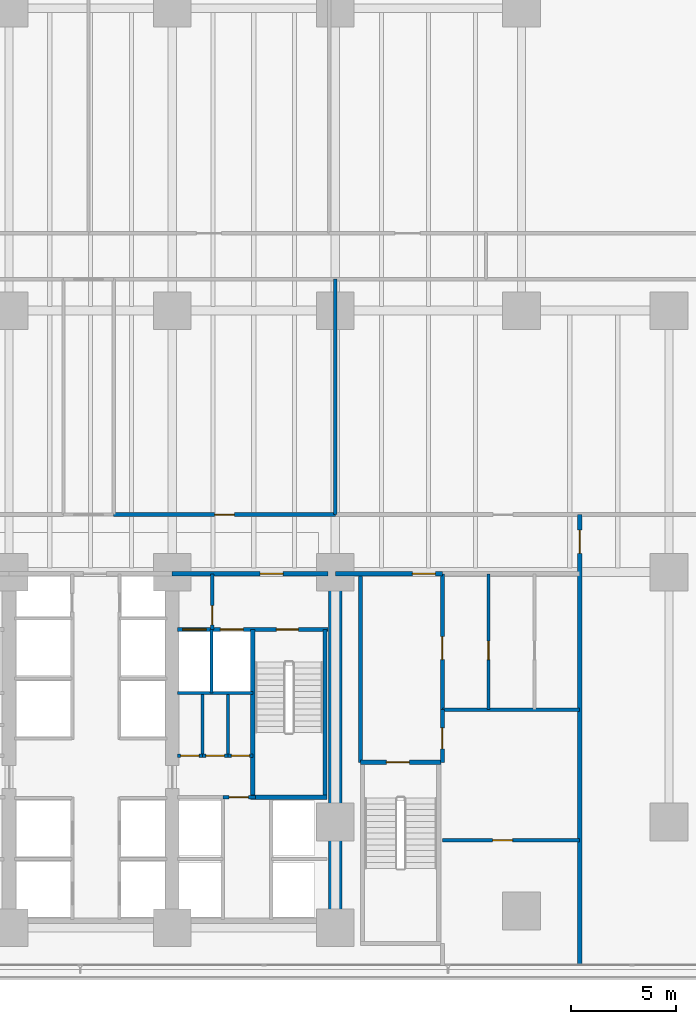
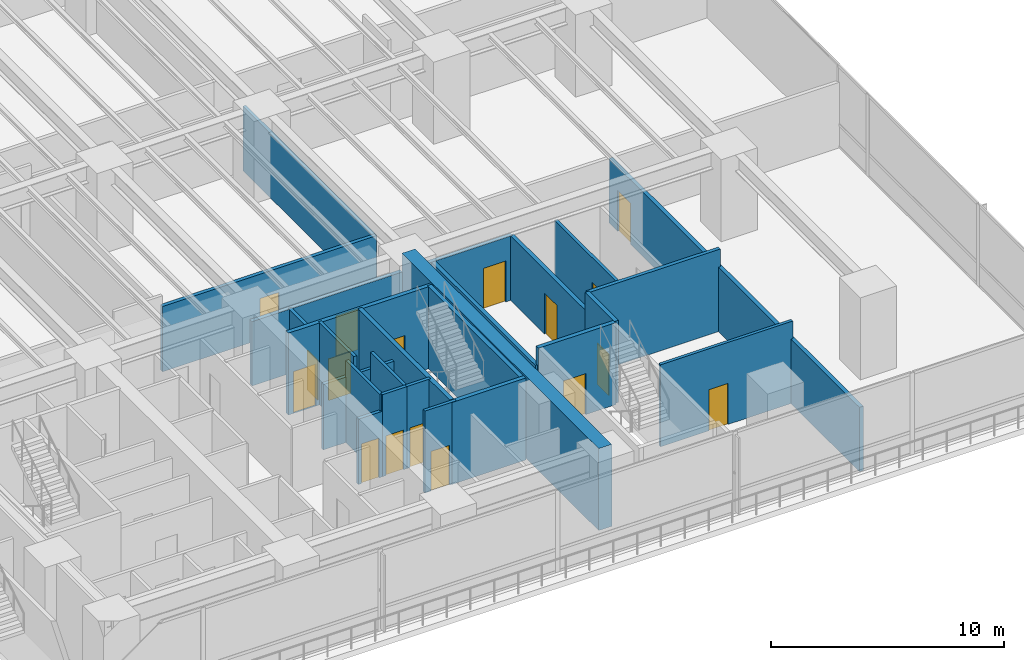
# One storey, part 12 of 26: 26 walls, 17 doors, 17 openings.
"""IFC4 building model written with IfcOpenShell, lengths in metres."""

from ifc_helpers import new_model, si_unit, direction, frame, frame_2d, origin, place, context, subcontext, project, spatial, rectangle, extrude, material, layer, layer_set, type_object, element, fill, save


model = new_model("IFC4")

# Units and contexts
model_context = context("Model", 3, precision=1e-05, world=origin(), true_north=direction((0.0, 1.0)))
body_context = subcontext(model_context, "Body", "Model", "MODEL_VIEW")
ifc_project = project(units=[si_unit("LENGTHUNIT", "METRE"), si_unit("AREAUNIT", "SQUARE_METRE"), si_unit("VOLUMEUNIT", "CUBIC_METRE"), si_unit("PLANEANGLEUNIT", "RADIAN"), si_unit("MASSUNIT", "GRAM", prefix="KILO")], contexts=[model_context])

# Site, building, storey
site_placement = place(None, origin())
site = spatial("IfcSite", under=ifc_project, at=site_placement, CompositionType="ELEMENT")
building_placement = place(site_placement, origin())
building = spatial("IfcBuilding", under=site, at=building_placement, Name="Qalmaran Belvedere Hotel", CompositionType="ELEMENT")
storey_placement = place(building_placement, frame((0.0, 0.0, 19.199951171875)))
storey = spatial("IfcBuildingStorey", under=building, at=storey_placement, Name="L04", CompositionType="ELEMENT", Elevation=19.199951171875)

# Walls
ifc_material_1 = material(Name="Concrete C60/75", Category="concrete")
ifc_layer_1 = layer(ifc_material_1, 0.64990234375, Name="Concrete C60/75")
ifc_layer_set_1 = layer_set([ifc_layer_1], Name="Concrete C60/75")
wall_type_1 = type_object("IfcWallType", Name="WL-CORE-650-C60", PredefinedType="SHEAR", material=ifc_layer_set_1)
wall_1_placement = place(storey_placement, frame((44.800048828125, 3.5, 0.0), z_axis=(0.0, 0.0, 1.0), x_axis=(0.0, 1.0, 0.0)))
element("IfcWall", 1, at=wall_1_placement, inside=storey, type_object=wall_type_1, Name="L04 East Core Shear Wall", PredefinedType="SHEAR", context=body_context, shape_type="SweptSolid", body=[
    extrude(rectangle(XDim=16.89990234375, YDim=0.64990234375, at=frame_2d((8.449951171875, 0.0))), origin(), (0.0, 0.0, 1.0), 4.300048828125),
])
ifc_material_2 = material(Name="Gypsum Stud Partition")
ifc_layer_2 = layer(ifc_material_2, 0.14990234375, Name="Gypsum Stud Partition")
ifc_layer_set_2 = layer_set([ifc_layer_2], Name="Gypsum Stud Partition")
wall_type_2 = type_object("IfcWallType", Name="WL-INT-150-EI120", PredefinedType="PARTITIONING", material=ifc_layer_set_2)
wall_2_placement = place(storey_placement, frame((38.8798828125, 14.719970703125, 0.0), z_axis=(0.0, 0.0, 1.0), x_axis=(0.0, 1.0, 0.0)))
element("IfcWall", 2, at=wall_2_placement, inside=storey, type_object=wall_type_2, Name="L04 Partition WL-FF2M-L04", PredefinedType="PARTITIONING", context=body_context, shape_type="SweptSolid", body=[
    extrude(rectangle(XDim=3.0400390625, YDim=0.14990234375, at=frame_2d((1.52001953125, 0.0))), origin(), (0.0, 0.0, 1.0), 4.300048828125),
])
ifc_layer_3 = layer(ifc_material_2, 0.14990234375, Name="Gypsum Stud Partition")
ifc_layer_set_3 = layer_set([ifc_layer_3], Name="Gypsum Stud Partition")
wall_type_3 = type_object("IfcWallType", Name="WL-INT-150-EI60", PredefinedType="PARTITIONING", material=ifc_layer_set_3)
for number, where, z_axis, x_axis, name in (
    (3, (38.44140625, 11.719970703125, 0.0), (0.0, 0.0, 1.0), (0.0, 1.0, 0.0), "L04 Partition WL-L04-KEV1"),
    (4, (39.668701171875, 11.719970703125, 0.0), (0.0, 0.0, 1.0), (0.0, 1.0, 0.0), "L04 Partition WL-L04-KEV2"),
):
    element("IfcWall", number, at=place(storey_placement, frame(where, z_axis=z_axis, x_axis=x_axis)), inside=storey, type_object=wall_type_3, Name=name, PredefinedType="PARTITIONING", context=body_context, shape_type="SweptSolid", body=[
        extrude(rectangle(XDim=2.929931640625, YDim=0.14990234375, at=frame_2d((1.46484375, 0.0))), origin(), (0.0, 0.0, 1.0), 4.300048828125),
    ])

# Wall, opening, door
wall_3_placement = place(storey_placement, frame((52.1201171875, 13.919921875, 0.0), z_axis=(0.0, 0.0, 1.0), x_axis=(0.0, 1.0, 0.0)))
wall_3 = element("IfcWall", 5, at=wall_3_placement, inside=storey, type_object=wall_type_3, Name="L04 Partition WL-L04-FCCV1", PredefinedType="PARTITIONING", context=body_context, shape_type="SweptSolid", body=[
    extrude(rectangle(XDim=6.5, YDim=0.14990234375, at=frame_2d((3.25, 0.0))), origin(), (0.0, 0.0, 1.0), 3.373046875),
])
opening_1_placement = place(wall_3_placement, frame((2.39990234375, 0.0, 0.0)))
opening_1 = element("IfcOpeningElement", 6, at=opening_1_placement, cuts=wall_3, Name="Opening FD60B", PredefinedType="OPENING", context=body_context, shape_type="SweptSolid", body=[
    extrude(rectangle(XDim=0.8798828125, YDim=2.080078125, at=frame_2d((0.43994140625, 1.0400390625))), frame((0.0, 0.0849609375, 0.0), z_axis=(0.0, -1.0, 0.0), x_axis=(1.0, 0.0, 0.0)), (0.0, 0.0, 1.0), 0.169921875),
])
ifc_material_3 = material(Name="Steel S355JR", Category="steel")
door_type_1 = type_object("IfcDoorType", Name="DR-FD60B-880X2080", OperationType="NOTDEFINED", PredefinedType="DOOR", material=ifc_material_3)
door_1_placement = place(opening_1_placement, origin())
door_1 = element("IfcDoor", 7, at=door_1_placement, inside=storey, type_object=door_type_1, Name="L04 Equipment Store Door", OperationType="SINGLE_SWING_RIGHT", OverallHeight=2.080078125, OverallWidth=0.8798828125, PredefinedType="DOOR", context=body_context, shape_type="SweptSolid", body=[
    extrude(rectangle(XDim=0.8798828125, YDim=2.080078125, at=frame_2d((0.43994140625, 1.0400390625))), frame((0.0, 0.02490234375, 0.0), z_axis=(0.0, -1.0, 0.0), x_axis=(1.0, 0.0, 0.0)), (0.0, 0.0, 1.0), 0.050048828125),
])
fill(opening_1, door_1)

wall_4_placement = place(storey_placement, frame((49.919921875, 7.679931640625, 0.0), z_axis=(0.0, 0.0, 1.0), x_axis=(1.0, 0.0, 0.0)))
wall_4 = element("IfcWall", 8, at=wall_4_placement, inside=storey, type_object=wall_type_3, Name="L04 Partition WL-L04-KITH", PredefinedType="PARTITIONING", context=body_context, shape_type="SweptSolid", body=[
    extrude(rectangle(XDim=6.56005859375, YDim=0.14990234375, at=frame_2d((3.280029296875, 0.0))), origin(), (0.0, 0.0, 1.0), 4.300048828125),
])
opening_2_placement = place(wall_4_placement, frame((3.349853515625, 0.0, 0.0), z_axis=(0.0, 0.0, 1.0), x_axis=(-1.0, 0.0, 0.0)))
opening_2 = element("IfcOpeningElement", 9, at=opening_2_placement, cuts=wall_4, Name="Opening FD60", PredefinedType="OPENING", context=body_context, shape_type="SweptSolid", body=[
    extrude(rectangle(XDim=0.949951171875, YDim=2.14990234375, at=frame_2d((0.47509765625, 1.074951171875))), frame((0.0, 0.0849609375, 0.0), z_axis=(0.0, -1.0, 0.0), x_axis=(1.0, 0.0, 0.0)), (0.0, 0.0, 1.0), 0.169921875),
])
ifc_material_4 = material(Name="Engineered Oak Veneer")
door_type_2 = type_object("IfcDoorType", Name="DR-FD60-950X2150", OperationType="NOTDEFINED", PredefinedType="DOOR", material=ifc_material_4)
door_2_placement = place(opening_2_placement, origin())
door_2 = element("IfcDoor", 10, at=door_2_placement, inside=storey, type_object=door_type_2, Name="L04 Pastry Kitchen Door", OperationType="SINGLE_SWING_RIGHT", OverallHeight=2.14990234375, OverallWidth=0.949951171875, PredefinedType="DOOR", context=body_context, shape_type="SweptSolid", body=[
    extrude(rectangle(XDim=0.949951171875, YDim=2.14990234375, at=frame_2d((0.47509765625, 1.074951171875))), frame((0.0, 0.02490234375, 0.0), z_axis=(0.0, -1.0, 0.0), x_axis=(1.0, 0.0, 0.0)), (0.0, 0.0, 1.0), 0.050048828125),
])
fill(opening_2, door_2)

ifc_layer_4 = layer(ifc_material_2, 0.159912109375, Name="Gypsum Stud Partition")
ifc_layer_set_4 = layer_set([ifc_layer_4], Name="Gypsum Stud Partition")
wall_type_4 = type_object("IfcWallType", Name="WL-INT-160-EI120", PredefinedType="PARTITIONING", material=ifc_layer_set_4)
wall_5_placement = place(storey_placement, frame((38.919921875, 17.760009765625, 0.0), z_axis=(0.0, 0.0, 1.0), x_axis=(0.0, 1.0, 0.0)))
wall_5 = element("IfcWall", 11, at=wall_5_placement, inside=storey, type_object=wall_type_4, Name="L04 Partition WL-FFSV2-L04", PredefinedType="PARTITIONING", context=body_context, shape_type="SweptSolid", body=[
    extrude(rectangle(XDim=2.659912109375, YDim=0.159912109375, at=frame_2d((1.330078125, 0.0))), origin(), (0.0, 0.0, 1.0), 3.373046875),
])
opening_3_placement = place(wall_5_placement, frame((1.139892578125, 0.0, 0.0), z_axis=(0.0, 0.0, 1.0), x_axis=(-1.0, 0.0, 0.0)))
opening_3 = element("IfcOpeningElement", 12, at=opening_3_placement, cuts=wall_5, Name="Opening FD60S1", PredefinedType="OPENING", context=body_context, shape_type="SweptSolid", body=[
    extrude(rectangle(XDim=0.919921875, YDim=2.080078125, at=frame_2d((0.4599609375, 1.0400390625))), frame((0.0, 0.08984375, 0.0), z_axis=(0.0, -1.0, 0.0), x_axis=(1.0, 0.0, 0.0)), (0.0, 0.0, 1.0), 0.179931640625),
])
door_type_3 = type_object("IfcDoorType", Name="DR-FD60S-920X2080", OperationType="NOTDEFINED", PredefinedType="DOOR", material=ifc_material_4)
door_3_placement = place(opening_3_placement, origin())
door_3 = element("IfcDoor", 13, at=door_3_placement, inside=storey, type_object=door_type_3, Name="L04 Service Lobby East Door", OperationType="SINGLE_SWING_LEFT", OverallHeight=2.080078125, OverallWidth=0.919921875, PredefinedType="DOOR", context=body_context, shape_type="SweptSolid", body=[
    extrude(rectangle(XDim=0.919921875, YDim=2.080078125, at=frame_2d((0.4599609375, 1.0400390625))), frame((0.0, 0.02490234375, 0.0), z_axis=(0.0, -1.0, 0.0), x_axis=(1.0, 0.0, 0.0)), (0.0, 0.0, 1.0), 0.050048828125),
])
fill(opening_3, door_3)

# Wall
wall_6_placement = place(storey_placement, frame((37.25, 14.719970703125, 0.0), z_axis=(0.0, 0.0, 1.0), x_axis=(1.0, 0.0, 0.0)))
element("IfcWall", 14, at=wall_6_placement, inside=storey, type_object=wall_type_4, Name="L04 Partition WL-FF2S-L04", PredefinedType="PARTITIONING", context=body_context, shape_type="SweptSolid", body=[
    extrude(rectangle(XDim=3.610107421875, YDim=0.159912109375, at=frame_2d((1.80517578125, 0.0))), origin(), (0.0, 0.0, 1.0), 3.429931640625),
])

# Wall, opening, door
wall_7_placement = place(storey_placement, frame((39.419921875, 9.739990234375, 0.0), z_axis=(0.0, 0.0, 1.0), x_axis=(1.0, 0.0, 0.0)))
wall_7 = element("IfcWall", 15, at=wall_7_placement, inside=storey, type_object=wall_type_4, Name="L04 Partition WL-PHNL-L04", PredefinedType="PARTITIONING", context=body_context, shape_type="SweptSolid", body=[
    extrude(rectangle(XDim=1.56005859375, YDim=0.159912109375, at=frame_2d((0.780029296875, 0.0))), origin(), (0.0, 0.0, 1.0), 4.300048828125),
])
opening_4_placement = place(wall_7_placement, frame((0.300048828125, 0.0, 0.0)))
opening_4 = element("IfcOpeningElement", 16, at=opening_4_placement, cuts=wall_7, Name="Opening FD60S1", PredefinedType="OPENING", context=body_context, shape_type="SweptSolid", body=[
    extrude(rectangle(XDim=0.919921875, YDim=2.080078125, at=frame_2d((0.4599609375, 1.0400390625))), frame((0.0, 0.08984375, 0.0), z_axis=(0.0, -1.0, 0.0), x_axis=(1.0, 0.0, 0.0)), (0.0, 0.0, 1.0), 0.179931640625),
])
door_4_placement = place(opening_4_placement, origin())
door_4 = element("IfcDoor", 17, at=door_4_placement, inside=storey, type_object=door_type_3, Name="L04 High-Rise Lift Lobby Passage Door", OperationType="SINGLE_SWING_LEFT", OverallHeight=2.080078125, OverallWidth=0.919921875, PredefinedType="DOOR", context=body_context, shape_type="SweptSolid", body=[
    extrude(rectangle(XDim=0.919921875, YDim=2.080078125, at=frame_2d((0.4599609375, 1.0400390625))), frame((0.0, 0.02490234375, 0.0), z_axis=(0.0, -1.0, 0.0), x_axis=(1.0, 0.0, 0.0)), (0.0, 0.0, 1.0), 0.050048828125),
])
fill(opening_4, door_4)

ifc_layer_5 = layer(ifc_material_2, 0.159912109375, Name="Gypsum Stud Partition")
ifc_layer_set_5 = layer_set([ifc_layer_5], Name="Gypsum Stud Partition")
wall_type_5 = type_object("IfcWallType", Name="WL-INT-160-EI60", PredefinedType="PARTITIONING", material=ifc_layer_set_5)
wall_8_placement = place(storey_placement, frame((37.25, 11.719970703125, 0.0), z_axis=(0.0, 0.0, 1.0), x_axis=(1.0, 0.0, 0.0)))
wall_8 = element("IfcWall", 18, at=wall_8_placement, inside=storey, type_object=wall_type_5, Name="L04 Partition WL-L04-KEE1", PredefinedType="PARTITIONING", context=body_context, shape_type="SweptSolid", body=[
    extrude(rectangle(XDim=1.19140625, YDim=0.159912109375, at=frame_2d((0.595703125, 0.0))), origin(), (0.0, 0.0, 1.0), 3.429931640625),
])
opening_5_placement = place(wall_8_placement, frame((0.155517578125, 0.0, 0.0)))
opening_5 = element("IfcOpeningElement", 19, at=opening_5_placement, cuts=wall_8, Name="Opening FD60B", PredefinedType="OPENING", context=body_context, shape_type="SweptSolid", body=[
    extrude(rectangle(XDim=0.8798828125, YDim=2.080078125, at=frame_2d((0.43994140625, 1.0400390625))), frame((0.0, 0.08984375, 0.0), z_axis=(0.0, -1.0, 0.0), x_axis=(1.0, 0.0, 0.0)), (0.0, 0.0, 1.0), 0.179931640625),
])
door_5_placement = place(opening_5_placement, origin())
door_5 = element("IfcDoor", 20, at=door_5_placement, inside=storey, type_object=door_type_1, Name="L04 Hotel Linen Closet Door", OperationType="SINGLE_SWING_LEFT", OverallHeight=2.080078125, OverallWidth=0.8798828125, PredefinedType="DOOR", context=body_context, shape_type="SweptSolid", body=[
    extrude(rectangle(XDim=0.8798828125, YDim=2.080078125, at=frame_2d((0.43994140625, 1.0400390625))), frame((0.0, 0.02490234375, 0.0), z_axis=(0.0, -1.0, 0.0), x_axis=(1.0, 0.0, 0.0)), (0.0, 0.0, 1.0), 0.050048828125),
])
fill(opening_5, door_5)

wall_9_placement = place(storey_placement, frame((38.44140625, 11.719970703125, 0.0), z_axis=(0.0, 0.0, 1.0), x_axis=(1.0, 0.0, 0.0)))
wall_9 = element("IfcWall", 21, at=wall_9_placement, inside=storey, type_object=wall_type_5, Name="L04 Partition WL-L04-KEE2", PredefinedType="PARTITIONING", context=body_context, shape_type="SweptSolid", body=[
    extrude(rectangle(XDim=1.227294921875, YDim=0.159912109375, at=frame_2d((0.61376953125, 0.0))), origin(), (0.0, 0.0, 1.0), 4.300048828125),
])
opening_6_placement = place(wall_9_placement, frame((0.173583984375, 0.0, 0.0)))
opening_6 = element("IfcOpeningElement", 22, at=opening_6_placement, cuts=wall_9, Name="Opening FD60B", PredefinedType="OPENING", context=body_context, shape_type="SweptSolid", body=[
    extrude(rectangle(XDim=0.8798828125, YDim=2.080078125, at=frame_2d((0.43994140625, 1.0400390625))), frame((0.0, 0.08984375, 0.0), z_axis=(0.0, -1.0, 0.0), x_axis=(1.0, 0.0, 0.0)), (0.0, 0.0, 1.0), 0.179931640625),
])
door_6_placement = place(opening_6_placement, origin())
door_6 = element("IfcDoor", 23, at=door_6_placement, inside=storey, type_object=door_type_1, Name="L04 Guest Ice and Beverage Pantry Door", OperationType="SINGLE_SWING_RIGHT", OverallHeight=2.080078125, OverallWidth=0.8798828125, PredefinedType="DOOR", context=body_context, shape_type="SweptSolid", body=[
    extrude(rectangle(XDim=0.8798828125, YDim=2.080078125, at=frame_2d((0.43994140625, 1.0400390625))), frame((0.0, 0.02490234375, 0.0), z_axis=(0.0, -1.0, 0.0), x_axis=(1.0, 0.0, 0.0)), (0.0, 0.0, 1.0), 0.050048828125),
])
fill(opening_6, door_6)

wall_10_placement = place(storey_placement, frame((39.668701171875, 11.719970703125, 0.0), z_axis=(0.0, 0.0, 1.0), x_axis=(1.0, 0.0, 0.0)))
wall_10 = element("IfcWall", 24, at=wall_10_placement, inside=storey, type_object=wall_type_5, Name="L04 Partition WL-L04-KEE3", PredefinedType="PARTITIONING", context=body_context, shape_type="SweptSolid", body=[
    extrude(rectangle(XDim=1.19140625, YDim=0.159912109375, at=frame_2d((0.595703125, 0.0))), origin(), (0.0, 0.0, 1.0), 4.300048828125),
])
opening_7_placement = place(wall_10_placement, frame((0.155517578125, 0.0, 0.0)))
opening_7 = element("IfcOpeningElement", 25, at=opening_7_placement, cuts=wall_10, Name="Opening FD60B", PredefinedType="OPENING", context=body_context, shape_type="SweptSolid", body=[
    extrude(rectangle(XDim=0.8798828125, YDim=2.080078125, at=frame_2d((0.43994140625, 1.0400390625))), frame((0.0, 0.08984375, 0.0), z_axis=(0.0, -1.0, 0.0), x_axis=(1.0, 0.0, 0.0)), (0.0, 0.0, 1.0), 0.179931640625),
])
door_7_placement = place(opening_7_placement, origin())
door_7 = element("IfcDoor", 26, at=door_7_placement, inside=storey, type_object=door_type_1, Name="L04 Cleaner Equipment Store Door", OperationType="SINGLE_SWING_LEFT", OverallHeight=2.080078125, OverallWidth=0.8798828125, PredefinedType="DOOR", context=body_context, shape_type="SweptSolid", body=[
    extrude(rectangle(XDim=0.8798828125, YDim=2.080078125, at=frame_2d((0.43994140625, 1.0400390625))), frame((0.0, 0.02490234375, 0.0), z_axis=(0.0, -1.0, 0.0), x_axis=(1.0, 0.0, 0.0)), (0.0, 0.0, 1.0), 0.050048828125),
])
fill(opening_7, door_7)

# Walls
wall_11_placement = place(storey_placement, frame((44.800048828125, 23.25, 0.0), z_axis=(0.0, 0.0, 1.0), x_axis=(0.0, 1.0, 0.0)))
element("IfcWall", 27, at=wall_11_placement, inside=storey, type_object=wall_type_5, Name="L04 Partition WL-L04-PMEVR1", PredefinedType="PARTITIONING", context=body_context, shape_type="SweptSolid", body=[
    extrude(rectangle(XDim=11.25, YDim=0.159912109375, at=frame_2d((5.625, 0.0))), origin(), (0.0, 0.0, 1.0), 3.373046875),
])
ifc_layer_6 = layer(ifc_material_2, 0.179931640625, Name="Gypsum Stud Partition")
ifc_layer_set_6 = layer_set([ifc_layer_6], Name="Gypsum Stud Partition")
wall_type_6 = type_object("IfcWallType", Name="WL-INT-180-EI120", PredefinedType="PARTITIONING", material=ifc_layer_set_6)
wall_12_placement = place(storey_placement, frame((49.919921875, 13.919921875, 0.0), z_axis=(0.0, 0.0, 1.0), x_axis=(1.0, 0.0, 0.0)))
element("IfcWall", 28, at=wall_12_placement, inside=storey, type_object=wall_type_6, Name="L04 Partition WL-L04-FCCH", PredefinedType="PARTITIONING", context=body_context, shape_type="SweptSolid", body=[
    extrude(rectangle(XDim=6.56005859375, YDim=0.179931640625, at=frame_2d((3.280029296875, 0.0))), origin(), (0.0, 0.0, 1.0), 4.300048828125),
])

# Wall, opening, door
ifc_layer_7 = layer(ifc_material_2, 0.179931640625, Name="Gypsum Stud Partition")
ifc_layer_set_7 = layer_set([ifc_layer_7], Name="Gypsum Stud Partition")
wall_type_7 = type_object("IfcWallType", Name="WL-INT-180-EI60", PredefinedType="PARTITIONING", material=ifc_layer_set_7)
wall_13_placement = place(storey_placement, frame((34.199951171875, 23.25, 0.0), z_axis=(0.0, 0.0, 1.0), x_axis=(1.0, 0.0, 0.0)))
wall_13 = element("IfcWall", 29, at=wall_13_placement, inside=storey, type_object=wall_type_7, Name="L04 Partition WL-L04-PMED1", PredefinedType="PARTITIONING", context=body_context, shape_type="SweptSolid", body=[
    extrude(rectangle(XDim=10.60009765625, YDim=0.179931640625, at=frame_2d((5.300048828125, 0.0))), origin(), (0.0, 0.0, 1.0), 3.429931640625),
])
opening_8_placement = place(wall_13_placement, frame((4.824951171875, 0.0, 0.0)))
opening_8 = element("IfcOpeningElement", 30, at=opening_8_placement, cuts=wall_13, Name="Opening FD60", PredefinedType="OPENING", context=body_context, shape_type="SweptSolid", body=[
    extrude(rectangle(XDim=0.949951171875, YDim=2.14990234375, at=frame_2d((0.47509765625, 1.074951171875))), frame((0.0, 0.10009765625, 0.0), z_axis=(0.0, -1.0, 0.0), x_axis=(1.0, 0.0, 0.0)), (0.0, 0.0, 1.0), 0.199951171875),
])
door_8_placement = place(opening_8_placement, origin())
door_8 = element("IfcDoor", 31, at=door_8_placement, inside=storey, type_object=door_type_2, Name="L04 Fitness Gymnasium Hall Door", OperationType="SINGLE_SWING_LEFT", OverallHeight=2.14990234375, OverallWidth=0.949951171875, PredefinedType="DOOR", context=body_context, shape_type="SweptSolid", body=[
    extrude(rectangle(XDim=0.949951171875, YDim=2.14990234375, at=frame_2d((0.47509765625, 1.074951171875))), frame((0.0, 0.02490234375, 0.0), z_axis=(0.0, -1.0, 0.0), x_axis=(1.0, 0.0, 0.0)), (0.0, 0.0, 1.0), 0.050048828125),
])
fill(opening_8, door_8)

ifc_material_5 = material(Name="Concrete C30/37 Blockwork", Category="masonry")
ifc_layer_8 = layer(ifc_material_5, 0.199951171875, Name="Concrete C30/37 Blockwork")
ifc_layer_set_8 = layer_set([ifc_layer_8], Name="Concrete C30/37 Blockwork")
wall_type_8 = type_object("IfcWallType", Name="WL-INT-200-EI120", PredefinedType="PARTITIONING", material=ifc_layer_set_8)
wall_14_placement = place(storey_placement, frame((37.0, 20.419921875, 0.0), z_axis=(0.0, 0.0, 1.0), x_axis=(1.0, 0.0, 0.0)))
wall_14 = element("IfcWall", 32, at=wall_14_placement, inside=storey, type_object=wall_type_8, Name="L04 Partition WL-CN3-L04", PredefinedType="PARTITIONING", context=body_context, shape_type="SweptSolid", body=[
    extrude(rectangle(XDim=7.449951171875, YDim=0.199951171875, at=frame_2d((3.72509765625, 0.0))), origin(), (0.0, 0.0, 1.0), 3.373046875),
])
opening_9_placement = place(wall_14_placement, frame((4.199951171875, 0.0, 0.0)))
opening_9 = element("IfcOpeningElement", 33, at=opening_9_placement, cuts=wall_14, Name="Opening FD90", PredefinedType="OPENING", context=body_context, shape_type="SweptSolid", body=[
    extrude(rectangle(XDim=1.10009765625, YDim=2.14990234375, at=frame_2d((0.550048828125, 1.074951171875))), frame((0.0, 0.10986328125, 0.0), z_axis=(0.0, -1.0, 0.0), x_axis=(1.0, 0.0, 0.0)), (0.0, 0.0, 1.0), 0.219970703125),
])
door_type_4 = type_object("IfcDoorType", Name="DR-FD90-1100X2150", OperationType="NOTDEFINED", PredefinedType="DOOR", material=ifc_material_3)
door_9_placement = place(opening_9_placement, origin())
door_9 = element("IfcDoor", 34, at=door_9_placement, inside=storey, type_object=door_type_4, Name="L04 FF2 Lobby Corridor Door", OperationType="SINGLE_SWING_RIGHT", OverallHeight=2.14990234375, OverallWidth=1.10009765625, PredefinedType="DOOR", context=body_context, shape_type="SweptSolid", body=[
    extrude(rectangle(XDim=1.10009765625, YDim=2.14990234375, at=frame_2d((0.550048828125, 1.074951171875))), frame((0.0, 0.02490234375, 0.0), z_axis=(0.0, -1.0, 0.0), x_axis=(1.0, 0.0, 0.0)), (0.0, 0.0, 1.0), 0.050048828125),
])
fill(opening_9, door_9)

# Wall
wall_15_placement = place(storey_placement, frame((46.0, 11.39990234375, 0.0), z_axis=(0.0, 0.0, 1.0), x_axis=(0.0, 1.0, 0.0)))
element("IfcWall", 35, at=wall_15_placement, inside=storey, type_object=wall_type_8, Name="L04 Partition WL-L04-STPE1", PredefinedType="PARTITIONING", context=body_context, shape_type="SweptSolid", body=[
    extrude(rectangle(XDim=9.02001953125, YDim=0.199951171875, at=frame_2d((4.510009765625, 0.0))), origin(), (0.0, 0.0, 1.0), 3.373046875),
])

# Wall, opening, door
wall_16_placement = place(storey_placement, frame((49.919921875, 11.39990234375, 0.0), z_axis=(0.0, 0.0, 1.0), x_axis=(0.0, 1.0, 0.0)))
wall_16 = element("IfcWall", 36, at=wall_16_placement, inside=storey, type_object=wall_type_8, Name="L04 Partition WL-L04-STPE2A", PredefinedType="PARTITIONING", context=body_context, shape_type="SweptSolid", body=[
    extrude(rectangle(XDim=2.52001953125, YDim=0.199951171875, at=frame_2d((1.260009765625, 0.0))), origin(), (0.0, 0.0, 1.0), 4.300048828125),
])
opening_10_placement = place(wall_16_placement, frame((1.64990234375, 0.0, 0.0), z_axis=(0.0, 0.0, 1.0), x_axis=(-1.0, 0.0, 0.0)))
opening_10 = element("IfcOpeningElement", 37, at=opening_10_placement, cuts=wall_16, Name="Opening FD90B", PredefinedType="OPENING", context=body_context, shape_type="SweptSolid", body=[
    extrude(rectangle(XDim=1.0, YDim=2.14990234375, at=frame_2d((0.5, 1.074951171875))), frame((0.0, 0.10986328125, 0.0), z_axis=(0.0, -1.0, 0.0), x_axis=(1.0, 0.0, 0.0)), (0.0, 0.0, 1.0), 0.219970703125),
])
door_type_5 = type_object("IfcDoorType", Name="DR-FD90B-1000X2150", OperationType="NOTDEFINED", PredefinedType="DOOR", material=ifc_material_3)
door_10_placement = place(opening_10_placement, origin())
door_10 = element("IfcDoor", 38, at=door_10_placement, inside=storey, type_object=door_type_5, Name="L04 Kitchen Door", OperationType="SINGLE_SWING_LEFT", OverallHeight=2.14990234375, OverallWidth=1.0, PredefinedType="DOOR", context=body_context, shape_type="SweptSolid", body=[
    extrude(rectangle(XDim=1.0, YDim=2.14990234375, at=frame_2d((0.5, 1.074951171875))), frame((0.0, 0.02490234375, 0.0), z_axis=(0.0, -1.0, 0.0), x_axis=(1.0, 0.0, 0.0)), (0.0, 0.0, 1.0), 0.050048828125),
])
fill(opening_10, door_10)

wall_17_placement = place(storey_placement, frame((49.919921875, 13.919921875, 0.0), z_axis=(0.0, 0.0, 1.0), x_axis=(0.0, 1.0, 0.0)))
wall_17 = element("IfcWall", 39, at=wall_17_placement, inside=storey, type_object=wall_type_8, Name="L04 Partition WL-L04-STPE2B", PredefinedType="PARTITIONING", context=body_context, shape_type="SweptSolid", body=[
    extrude(rectangle(XDim=6.5, YDim=0.199951171875, at=frame_2d((3.25, 0.0))), origin(), (0.0, 0.0, 1.0), 3.373046875),
])
opening_11_placement = place(wall_17_placement, frame((3.5, 0.0, 0.0), z_axis=(0.0, 0.0, 1.0), x_axis=(-1.0, 0.0, 0.0)))
opening_11 = element("IfcOpeningElement", 40, at=opening_11_placement, cuts=wall_17, Name="Opening FD90", PredefinedType="OPENING", context=body_context, shape_type="SweptSolid", body=[
    extrude(rectangle(XDim=1.10009765625, YDim=2.14990234375, at=frame_2d((0.550048828125, 1.074951171875))), frame((0.0, 0.10986328125, 0.0), z_axis=(0.0, -1.0, 0.0), x_axis=(1.0, 0.0, 0.0)), (0.0, 0.0, 1.0), 0.219970703125),
])
door_11_placement = place(opening_11_placement, origin())
door_11 = element("IfcDoor", 41, at=door_11_placement, inside=storey, type_object=door_type_4, Name="L04 Fire Command Door", OperationType="SINGLE_SWING_RIGHT", OverallHeight=2.14990234375, OverallWidth=1.10009765625, PredefinedType="DOOR", context=body_context, shape_type="SweptSolid", body=[
    extrude(rectangle(XDim=1.10009765625, YDim=2.14990234375, at=frame_2d((0.550048828125, 1.074951171875))), frame((0.0, 0.02490234375, 0.0), z_axis=(0.0, -1.0, 0.0), x_axis=(1.0, 0.0, 0.0)), (0.0, 0.0, 1.0), 0.050048828125),
])
fill(opening_11, door_11)

wall_18_placement = place(storey_placement, frame((44.800048828125, 20.419921875, 0.0), z_axis=(0.0, 0.0, 1.0), x_axis=(1.0, 0.0, 0.0)))
wall_18 = element("IfcWall", 42, at=wall_18_placement, inside=storey, type_object=wall_type_8, Name="L04 Partition WL-L04-CSE", PredefinedType="PARTITIONING", context=body_context, shape_type="SweptSolid", body=[
    extrude(rectangle(XDim=5.119873046875, YDim=0.199951171875, at=frame_2d((2.56005859375, 0.0))), origin(), (0.0, 0.0, 1.0), 3.373046875),
])
opening_12_placement = place(wall_18_placement, frame((4.78076171875, 0.0, 0.0), z_axis=(0.0, 0.0, 1.0), x_axis=(-1.0, 0.0, 0.0)))
opening_12 = element("IfcOpeningElement", 43, at=opening_12_placement, cuts=wall_18, Name="Opening FD90", PredefinedType="OPENING", context=body_context, shape_type="SweptSolid", body=[
    extrude(rectangle(XDim=1.10009765625, YDim=2.14990234375, at=frame_2d((0.550048828125, 1.074951171875))), frame((0.0, 0.10986328125, 0.0), z_axis=(0.0, -1.0, 0.0), x_axis=(1.0, 0.0, 0.0)), (0.0, 0.0, 1.0), 0.219970703125),
])
door_12_placement = place(opening_12_placement, origin())
door_12 = element("IfcDoor", 44, at=door_12_placement, inside=storey, type_object=door_type_4, Name="L04 East Stair Corridor Door", OperationType="SINGLE_SWING_LEFT", OverallHeight=2.14990234375, OverallWidth=1.10009765625, PredefinedType="DOOR", context=body_context, shape_type="SweptSolid", body=[
    extrude(rectangle(XDim=1.10009765625, YDim=2.14990234375, at=frame_2d((0.550048828125, 1.074951171875))), frame((0.0, 0.02490234375, 0.0), z_axis=(0.0, -1.0, 0.0), x_axis=(1.0, 0.0, 0.0)), (0.0, 0.0, 1.0), 0.050048828125),
])
fill(opening_12, door_12)

wall_19_placement = place(storey_placement, frame((56.47998046875, 1.719970703125, 0.0), z_axis=(0.0, 0.0, 1.0), x_axis=(0.0, 1.0, 0.0)))
wall_19 = element("IfcWall", 45, at=wall_19_placement, inside=storey, type_object=wall_type_8, Name="L04 Partition WL-L04-FCCE", PredefinedType="PARTITIONING", context=body_context, shape_type="SweptSolid", body=[
    extrude(rectangle(XDim=21.530029296875, YDim=0.199951171875, at=frame_2d((10.76513671875, 0.0))), origin(), (0.0, 0.0, 1.0), 3.373046875),
])
opening_13_placement = place(wall_19_placement, frame((20.780029296875, 0.0, 0.0), z_axis=(0.0, 0.0, 1.0), x_axis=(-1.0, 0.0, 0.0)))
opening_13 = element("IfcOpeningElement", 46, at=opening_13_placement, cuts=wall_19, Name="Opening FD90", PredefinedType="OPENING", context=body_context, shape_type="SweptSolid", body=[
    extrude(rectangle(XDim=1.10009765625, YDim=2.14990234375, at=frame_2d((0.550048828125, 1.074951171875))), frame((0.0, 0.10986328125, 0.0), z_axis=(0.0, -1.0, 0.0), x_axis=(1.0, 0.0, 0.0)), (0.0, 0.0, 1.0), 0.219970703125),
])
door_13_placement = place(opening_13_placement, origin())
door_13 = element("IfcDoor", 47, at=door_13_placement, inside=storey, type_object=door_type_4, Name="L04 East Wing Door", OperationType="SINGLE_SWING_RIGHT", OverallHeight=2.14990234375, OverallWidth=1.10009765625, PredefinedType="DOOR", context=body_context, shape_type="SweptSolid", body=[
    extrude(rectangle(XDim=1.10009765625, YDim=2.14990234375, at=frame_2d((0.550048828125, 1.074951171875))), frame((0.0, 0.02490234375, 0.0), z_axis=(0.0, -1.0, 0.0), x_axis=(1.0, 0.0, 0.0)), (0.0, 0.0, 1.0), 0.050048828125),
])
fill(opening_13, door_13)

# Walls
ifc_material_6 = material(Name="Concrete C50/60", Category="concrete")
ifc_layer_9 = layer(ifc_material_6, 0.2099609375, Name="Concrete C50/60")
ifc_layer_set_9 = layer_set([ifc_layer_9], Name="Concrete C50/60")
wall_type_9 = type_object("IfcWallType", Name="WL-STAIR-210-C50", PredefinedType="SHEAR", material=ifc_layer_set_9)
for number, where, z_axis, x_axis, name in (
    (48, (40.85498046875, 9.7451171875, 0.0), (0.0, 0.0, 1.0), (0.0, 1.0, 0.0), "L04 Stair ST-2 West Bearing Wall"),
    (49, (44.304931640625, 9.7451171875, 0.0), (0.0, 0.0, 1.0), (0.0, 1.0, 0.0), "L04 Stair ST-2 East Bearing Wall"),
):
    element("IfcWall", number, at=place(storey_placement, frame(where, z_axis=z_axis, x_axis=x_axis)), inside=storey, type_object=wall_type_9, Name=name, PredefinedType="SHEAR", context=body_context, shape_type="SweptSolid", body=[
        extrude(rectangle(XDim=8.009765625, YDim=0.2099609375, at=frame_2d((4.0048828125, 0.0))), origin(), (0.0, 0.0, 1.0), 4.300048828125),
    ])
wall_20_placement = place(storey_placement, frame((40.75, 9.7451171875, 0.0), z_axis=(0.0, 0.0, 1.0), x_axis=(1.0, 0.0, 0.0)))
element("IfcWall", 50, at=wall_20_placement, inside=storey, type_object=wall_type_9, Name="L04 Stair ST-2 South Bearing Wall", PredefinedType="SHEAR", context=body_context, shape_type="SweptSolid", body=[
    extrude(rectangle(XDim=3.659912109375, YDim=0.2099609375, at=frame_2d((1.830078125, 0.0))), origin(), (0.0, 0.0, 1.0), 4.300048828125),
])

# Wall, openings, doors
wall_21_placement = place(storey_placement, frame((37.25, 17.7548828125, 0.0), z_axis=(0.0, 0.0, 1.0), x_axis=(1.0, 0.0, 0.0)))
wall_21 = element("IfcWall", 51, at=wall_21_placement, inside=storey, type_object=wall_type_9, Name="L04 East Lobby and Stair ST-2 North Bearing Wall", PredefinedType="SHEAR", context=body_context, shape_type="SweptSolid", body=[
    extrude(rectangle(XDim=7.199951171875, YDim=0.2099609375, at=frame_2d((3.60009765625, 0.0))), origin(), (0.0, 0.0, 1.0), 4.300048828125),
])
opening_14_placement = place(wall_21_placement, frame((0.25, 0.0, 0.0)))
opening_14 = element("IfcOpeningElement", 52, at=opening_14_placement, cuts=wall_21, Name="Opening LD-SV", PredefinedType="OPENING", context=body_context, shape_type="SweptSolid", body=[
    extrude(rectangle(XDim=1.1201171875, YDim=2.199951171875, at=frame_2d((0.56005859375, 1.10009765625))), frame((0.0, 0.114990234375, 0.0), z_axis=(0.0, -1.0, 0.0), x_axis=(1.0, 0.0, 0.0)), (0.0, 0.0, 1.0), 0.22998046875),
])
opening_15_placement = place(wall_21_placement, frame((2.050048828125, 0.0, 0.0)))
opening_15 = element("IfcOpeningElement", 53, at=opening_15_placement, cuts=wall_21, Name="Opening LD-FF", PredefinedType="OPENING", context=body_context, shape_type="SweptSolid", body=[
    extrude(rectangle(XDim=1.10009765625, YDim=2.179931640625, at=frame_2d((0.550048828125, 1.08984375))), frame((0.0, 0.114990234375, 0.0), z_axis=(0.0, -1.0, 0.0), x_axis=(1.0, 0.0, 0.0)), (0.0, 0.0, 1.0), 0.22998046875),
])
opening_16_placement = place(wall_21_placement, frame((5.780029296875, 0.0, 0.0), z_axis=(0.0, 0.0, 1.0), x_axis=(-1.0, 0.0, 0.0)))
opening_16 = element("IfcOpeningElement", 54, at=opening_16_placement, cuts=wall_21, Name="Opening FD90S2", PredefinedType="OPENING", context=body_context, shape_type="SweptSolid", body=[
    extrude(rectangle(XDim=1.050048828125, YDim=2.14990234375, at=frame_2d((0.52490234375, 1.074951171875))), frame((0.0, 0.114990234375, 0.0), z_axis=(0.0, -1.0, 0.0), x_axis=(1.0, 0.0, 0.0)), (0.0, 0.0, 1.0), 0.22998046875),
])
door_type_6 = type_object("IfcDoorType", Name="DR-FD90S-1050X2150", OperationType="NOTDEFINED", PredefinedType="DOOR", material=ifc_material_3)
door_14_placement = place(opening_16_placement, origin())
door_14 = element("IfcDoor", 55, at=door_14_placement, inside=storey, type_object=door_type_6, Name="L04 Stair ST-2 Door", OperationType="SINGLE_SWING_LEFT", OverallHeight=2.14990234375, OverallWidth=1.050048828125, PredefinedType="DOOR", context=body_context, shape_type="SweptSolid", body=[
    extrude(rectangle(XDim=1.050048828125, YDim=2.14990234375, at=frame_2d((0.52490234375, 1.074951171875))), frame((0.0, 0.02490234375, 0.0), z_axis=(0.0, -1.0, 0.0), x_axis=(1.0, 0.0, 0.0)), (0.0, 0.0, 1.0), 0.050048828125),
])
fill(opening_16, door_14)
ifc_material_7 = material(Name="Stainless Steel 1.4401", Category="steel")
door_type_7 = type_object("IfcDoorType", Name="DR-LIFT-FF-1100X2180", OperationType="DOUBLE_DOOR_SLIDING", PredefinedType="DOOR", material=ifc_material_7)
door_15_placement = place(opening_15_placement, origin())
door_15 = element("IfcDoor", 56, at=door_15_placement, inside=storey, type_object=door_type_7, Name="L04 FF2 Lift Landing Door", OperationType="DOUBLE_DOOR_SLIDING", OverallHeight=2.179931640625, OverallWidth=1.10009765625, PredefinedType="DOOR", context=body_context, shape_type="SweptSolid", body=[
    extrude(rectangle(XDim=1.10009765625, YDim=2.179931640625, at=frame_2d((0.550048828125, 1.08984375))), frame((0.0, 0.02490234375, 0.0), z_axis=(0.0, -1.0, 0.0), x_axis=(1.0, 0.0, 0.0)), (0.0, 0.0, 1.0), 0.050048828125),
])
fill(opening_15, door_15)
door_type_8 = type_object("IfcDoorType", Name="DR-LIFT-SV-1120X2200", OperationType="DOUBLE_DOOR_SLIDING", PredefinedType="DOOR", material=ifc_material_7)
door_16_placement = place(opening_14_placement, origin())
door_16 = element("IfcDoor", 57, at=door_16_placement, inside=storey, type_object=door_type_8, Name="L04 SV2 Lift Landing Door", OperationType="DOUBLE_DOOR_SLIDING", OverallHeight=2.199951171875, OverallWidth=1.1201171875, PredefinedType="DOOR", context=body_context, shape_type="SweptSolid", body=[
    extrude(rectangle(XDim=1.1201171875, YDim=2.199951171875, at=frame_2d((0.56005859375, 1.10009765625))), frame((0.0, 0.02490234375, 0.0), z_axis=(0.0, -1.0, 0.0), x_axis=(1.0, 0.0, 0.0)), (0.0, 0.0, 1.0), 0.050048828125),
])
fill(opening_14, door_16)

# Wall, opening, door
wall_22_placement = place(storey_placement, frame((45.989990234375, 11.405029296875, 0.0), z_axis=(0.0, 0.0, 1.0), x_axis=(1.0, 0.0, 0.0)))
wall_22 = element("IfcWall", 58, at=wall_22_placement, inside=storey, type_object=wall_type_9, Name="L04 Podium Stair STP2 North Bearing Wall", PredefinedType="SHEAR", context=body_context, shape_type="SweptSolid", body=[
    extrude(rectangle(XDim=3.860107421875, YDim=0.2099609375, at=frame_2d((1.93017578125, 0.0))), origin(), (0.0, 0.0, 1.0), 4.300048828125),
])
opening_17_placement = place(wall_22_placement, frame((2.35009765625, 0.0, 0.0), z_axis=(0.0, 0.0, 1.0), x_axis=(-1.0, 0.0, 0.0)))
opening_17 = element("IfcOpeningElement", 59, at=opening_17_placement, cuts=wall_22, Name="Opening FD90", PredefinedType="OPENING", context=body_context, shape_type="SweptSolid", body=[
    extrude(rectangle(XDim=1.10009765625, YDim=2.14990234375, at=frame_2d((0.550048828125, 1.074951171875))), frame((0.0, 0.114990234375, 0.0), z_axis=(0.0, -1.0, 0.0), x_axis=(1.0, 0.0, 0.0)), (0.0, 0.0, 1.0), 0.22998046875),
])
door_17_placement = place(opening_17_placement, origin())
door_17 = element("IfcDoor", 60, at=door_17_placement, inside=storey, type_object=door_type_4, Name="L04 Stair ST-P2 Door", OperationType="SINGLE_SWING_LEFT", OverallHeight=2.14990234375, OverallWidth=1.10009765625, PredefinedType="DOOR", context=body_context, shape_type="SweptSolid", body=[
    extrude(rectangle(XDim=1.10009765625, YDim=2.14990234375, at=frame_2d((0.550048828125, 1.074951171875))), frame((0.0, 0.02490234375, 0.0), z_axis=(0.0, -1.0, 0.0), x_axis=(1.0, 0.0, 0.0)), (0.0, 0.0, 1.0), 0.050048828125),
])
fill(opening_17, door_17)

save(model, "model.ifc")
